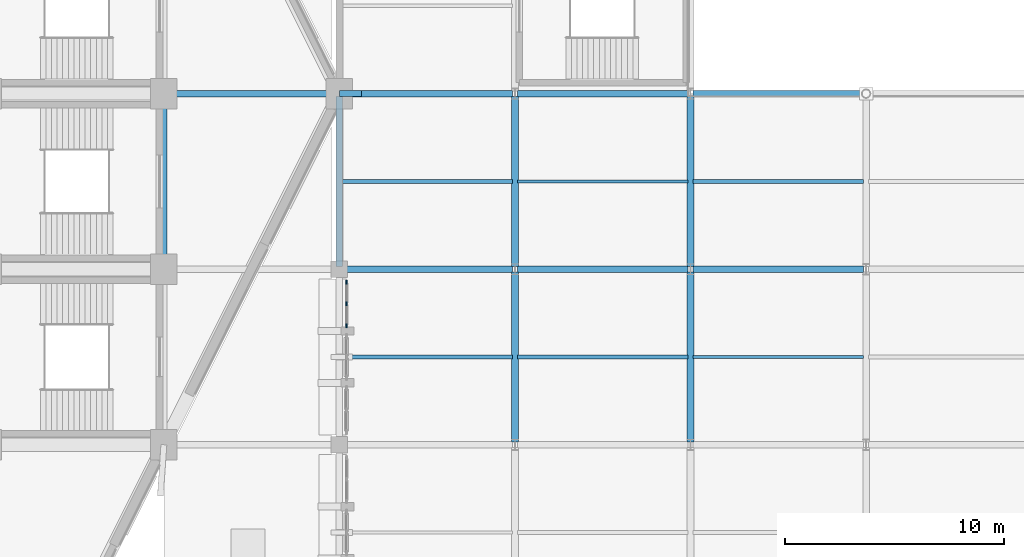
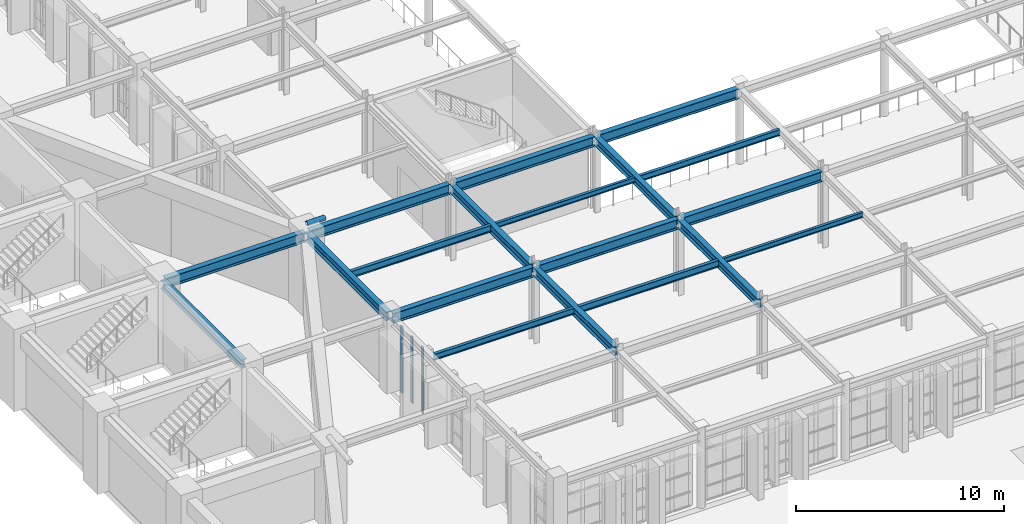
# One storey, part 36 of 155: 19 beams, 4 members, 1 element without a shape of its own.
"""IFC4 building model written with IfcOpenShell, lengths in metres."""

from ifc_helpers import new_model, si_unit, direction, frame, origin, origin_2d, place, context, subcontext, project, spatial, rectangle, hollow_circle, i_section, extrude, material, layer, layer_set, material_profile, profile_set, type_object, element, aggregate, save


model = new_model("IFC4")

# Units and contexts
model_context = context("Model", 3, precision=1e-05, world=origin(), true_north=direction((0.0, 1.0)))
body_context = subcontext(model_context, "Body", "Model", "MODEL_VIEW")
ifc_project = project(units=[si_unit("LENGTHUNIT", "METRE"), si_unit("AREAUNIT", "SQUARE_METRE"), si_unit("VOLUMEUNIT", "CUBIC_METRE"), si_unit("PLANEANGLEUNIT", "RADIAN"), si_unit("MASSUNIT", "GRAM", prefix="KILO")], contexts=[model_context])

# Site, building, storey
site_placement = place(None, origin())
site = spatial("IfcSite", under=ifc_project, at=site_placement, CompositionType="ELEMENT")
building_placement = place(site_placement, origin())
building = spatial("IfcBuilding", under=site, at=building_placement, Name="Tazarka Park Arena", CompositionType="ELEMENT")
storey_placement = place(building_placement, frame((0.0, 0.0, 5.39990234375)))
storey = spatial("IfcBuildingStorey", under=building, at=storey_placement, Name="L01", CompositionType="ELEMENT", Elevation=5.39990234375)

# Beams
ifc_material_1 = material(Name="Steel S355", Category="steel")
ifc_material_profile_1 = material_profile(ifc_material_1, i_section(OverallWidth=0.300048828125, OverallDepth=0.590087890625, WebThickness=0.012939453125, FlangeThickness=0.02490234375, FilletRadius=0.027099609375, at=origin_2d()), Name="Steel S355")
ifc_profile_set_1 = profile_set([ifc_material_profile_1], Name="Steel S355")
beam_type_1 = type_object("IfcBeamType", Name="BM-B-07", PredefinedType="BEAM", material=ifc_profile_set_1)
for number, where, z_axis, x_axis, name in (
    (1, (128.1201171875, 64.0, 4.125), (1.0, 0.0, 0.0), (0.0, 1.0, 0.0), "GXM-L01-16-08"),
    (2, (136.1201171875, 56.0, 4.125), (1.0, 0.0, 0.0), (0.0, 1.0, 0.0), "GXM-L01-17-07"),
    (3, (136.1201171875, 64.0, 4.125), (1.0, 0.0, 0.0), (0.0, 1.0, 0.0), "GXM-L01-17-08"),
    (4, (144.1201171875, 56.0, 4.125), (1.0, 0.0, 0.0), (0.0, 1.0, 0.0), "GXM-L01-18-07"),
    (5, (144.1201171875, 64.0, 4.125), (1.0, 0.0, 0.0), (0.0, 1.0, 0.0), "GXM-L01-18-08"),
    (6, (152.1201171875, 56.0, 4.125), (1.0, 0.0, 0.0), (0.0, 1.0, 0.0), "GXM-L01-19-07"),
    (7, (152.1201171875, 64.0, 4.125), (1.0, 0.0, 0.0), (0.0, 1.0, 0.0), "GXM-L01-19-08"),
):
    element("IfcBeam", number, at=place(storey_placement, frame(where, z_axis=z_axis, x_axis=x_axis)), inside=storey, type_object=beam_type_1, Name=name, PredefinedType="BEAM", context=body_context, shape_type="SweptSolid", body=[
        extrude(i_section(OverallWidth=0.300048828125, OverallDepth=0.590087890625, WebThickness=0.012939453125, FlangeThickness=0.02490234375, FilletRadius=0.027099609375, at=origin_2d()), origin(), (0.0, 0.0, 1.0), 7.759765625),
    ])
ifc_material_2 = material(Name="Steel S355", Category="steel")
ifc_material_profile_2 = material_profile(ifc_material_2, i_section(OverallWidth=0.300048828125, OverallDepth=0.5, WebThickness=0.014404296875, FlangeThickness=0.028076171875, FilletRadius=0.027099609375, at=origin_2d()), Name="Steel S355")
ifc_profile_set_2 = profile_set([ifc_material_profile_2], Name="Steel S355")
beam_type_2 = type_object("IfcBeamType", Name="BM-B-08", PredefinedType="BEAM", material=ifc_profile_set_2)
for number, where, z_axis, x_axis, name in (
    (8, (128.0, 56.1201171875, 4.170166015625), (0.0, 1.0, 0.0), (-1.0, 0.0, 0.0), "GYM-L01-16-07"),
    (9, (136.0, 56.1201171875, 4.170166015625), (0.0, 1.0, 0.0), (-1.0, 0.0, 0.0), "GYM-L01-17-07"),
    (10, (144.0, 48.1201171875, 4.170166015625), (0.0, 1.0, 0.0), (-1.0, 0.0, 0.0), "GYM-L01-18-06"),
    (11, (144.0, 56.1201171875, 4.170166015625), (0.0, 1.0, 0.0), (-1.0, 0.0, 0.0), "GYM-L01-18-07"),
    (12, (152.0, 48.1201171875, 4.170166015625), (0.0, 1.0, 0.0), (-1.0, 0.0, 0.0), "GYM-L01-19-06"),
    (13, (152.0, 56.1201171875, 4.170166015625), (0.0, 1.0, 0.0), (-1.0, 0.0, 0.0), "GYM-L01-19-07"),
):
    element("IfcBeam", number, at=place(storey_placement, frame(where, z_axis=z_axis, x_axis=x_axis)), inside=storey, type_object=beam_type_2, Name=name, PredefinedType="BEAM", context=body_context, shape_type="SweptSolid", body=[
        extrude(i_section(OverallWidth=0.300048828125, OverallDepth=0.5, WebThickness=0.014404296875, FlangeThickness=0.028076171875, FilletRadius=0.027099609375, at=origin_2d()), origin(), (0.0, 0.0, 1.0), 7.759765625),
    ])
ifc_material_3 = material(Name="Steel S355", Category="steel")
ifc_material_profile_3 = material_profile(ifc_material_3, i_section(OverallWidth=0.14990234375, OverallDepth=0.300048828125, WebThickness=0.007080078125, FlangeThickness=0.0107421875, FilletRadius=0.014892578125, at=origin_2d()), Name="Steel S355")
ifc_profile_set_3 = profile_set([ifc_material_profile_3], Name="Steel S355")
beam_type_3 = type_object("IfcBeamType", Name="BM-J-01", PredefinedType="JOIST", material=ifc_profile_set_3)
for number, where, z_axis, x_axis, name in (
    (14, (144.1201171875, 60.0, 4.27001953125), (1.0, 0.0, 0.0), (0.0, 1.0, 0.0), "JST-L01-18-07"),
    (15, (152.1201171875, 52.0, 4.27001953125), (1.0, 0.0, 0.0), (0.0, 1.0, 0.0), "JST-L01-19-06"),
):
    element("IfcBeam", number, at=place(storey_placement, frame(where, z_axis=z_axis, x_axis=x_axis)), inside=storey, type_object=beam_type_3, Name=name, PredefinedType="JOIST", context=body_context, shape_type="SweptSolid", body=[
        extrude(i_section(OverallWidth=0.14990234375, OverallDepth=0.300048828125, WebThickness=0.007080078125, FlangeThickness=0.0107421875, FilletRadius=0.014892578125, at=origin_2d()), origin(), (0.0, 0.0, 1.0), 7.759765625),
    ])
ifc_material_4 = material(Name="Steel S355", Category="steel")
ifc_material_profile_4 = material_profile(ifc_material_4, i_section(OverallWidth=0.169921875, OverallDepth=0.360107421875, WebThickness=0.008056640625, FlangeThickness=0.0126953125, FilletRadius=0.01806640625, at=origin_2d()), Name="Steel S355")
ifc_profile_set_4 = profile_set([ifc_material_profile_4], Name="Steel S355")
beam_type_4 = type_object("IfcBeamType", Name="BM-J-02", PredefinedType="JOIST", material=ifc_profile_set_4)
for number, where, z_axis, x_axis, name in (
    (16, (136.1201171875, 52.0, 4.239990234375), (1.0, 0.0, 0.0), (0.0, 1.0, 0.0), "JST-L01-17-06"),
    (17, (152.1201171875, 60.0, 4.239990234375), (1.0, 0.0, 0.0), (0.0, 1.0, 0.0), "JST-L01-19-07"),
):
    element("IfcBeam", number, at=place(storey_placement, frame(where, z_axis=z_axis, x_axis=x_axis)), inside=storey, type_object=beam_type_4, Name=name, PredefinedType="JOIST", context=body_context, shape_type="SweptSolid", body=[
        extrude(i_section(OverallWidth=0.169921875, OverallDepth=0.360107421875, WebThickness=0.008056640625, FlangeThickness=0.0126953125, FilletRadius=0.01806640625, at=origin_2d()), origin(), (0.0, 0.0, 1.0), 7.759765625),
    ])
ifc_material_5 = material(Name="Steel S355", Category="steel")
ifc_material_profile_5 = material_profile(ifc_material_5, i_section(OverallWidth=0.179931640625, OverallDepth=0.39990234375, WebThickness=0.008544921875, FlangeThickness=0.013427734375, FilletRadius=0.02099609375, at=origin_2d()), Name="Steel S355")
ifc_profile_set_5 = profile_set([ifc_material_profile_5], Name="Steel S355")
beam_type_5 = type_object("IfcBeamType", Name="BM-J-03", PredefinedType="JOIST", material=ifc_profile_set_5)
for number, where, z_axis, x_axis, name in (
    (18, (136.1201171875, 60.0, 4.22021484375), (1.0, 0.0, 0.0), (0.0, 1.0, 0.0), "JST-L01-17-07"),
    (19, (144.1201171875, 52.0, 4.22021484375), (1.0, 0.0, 0.0), (0.0, 1.0, 0.0), "JST-L01-18-06"),
):
    element("IfcBeam", number, at=place(storey_placement, frame(where, z_axis=z_axis, x_axis=x_axis)), inside=storey, type_object=beam_type_5, Name=name, PredefinedType="JOIST", context=body_context, shape_type="SweptSolid", body=[
        extrude(i_section(OverallWidth=0.179931640625, OverallDepth=0.39990234375, WebThickness=0.008544921875, FlangeThickness=0.013427734375, FilletRadius=0.02099609375, at=origin_2d()), origin(), (0.0, 0.0, 1.0), 7.759765625),
    ])

# Curtain wall, members
ifc_material_6 = material(Name="Aluminium and low-e glass", Category="aluminium")
ifc_layer = layer(ifc_material_6, 0.179931640625, Name="Aluminium and low-e glass")
ifc_layer_set = layer_set([ifc_layer], Name="Aluminium and low-e glass")
curtain_wall_type = type_object("IfcCurtainWallType", Name="CW-12", PredefinedType="NOTDEFINED", material=ifc_layer_set)
curtain_wall_placement = place(storey_placement, origin())
curtain_wall = element("IfcCurtainWall", 20, at=curtain_wall_placement, inside=storey, type_object=curtain_wall_type, Name="Curtain Wall CWA-L01-162", PredefinedType="NOTDEFINED")
ifc_material_7 = material(Name="Aluminium 6060-T66", Category="aluminium")
ifc_material_profile_6 = material_profile(ifc_material_7, rectangle(XDim=0.06494140625, YDim=0.179931640625, at=origin_2d()), Name="Aluminium 6060-T66")
ifc_profile_set_6 = profile_set([ifc_material_profile_6], Name="Aluminium 6060-T66")
member_type_1 = type_object("IfcMemberType", Name="CWM-01", PredefinedType="MULLION", material=ifc_profile_set_6)
member_1_placement = place(storey_placement, frame((136.320068359375, 53.42431640625, 0.0), z_axis=(0.0, 0.0, 1.0), x_axis=(-1.0, 0.0, 0.0)))
member_1 = element("IfcMember", 21, at=member_1_placement, type_object=member_type_1, Name="CW-12 mullion 1", PredefinedType="MULLION", context=body_context, shape_type="SweptSolid", body=[
    extrude(rectangle(XDim=0.06494140625, YDim=0.179931640625, at=origin_2d()), origin(), (0.0, 0.0, 1.0), 3.900146484375),
])
member_2_placement = place(storey_placement, frame((136.320068359375, 54.41845703125, 0.0), z_axis=(0.0, 0.0, 1.0), x_axis=(-1.0, 0.0, 0.0)))
member_2 = element("IfcMember", 22, at=member_2_placement, type_object=member_type_1, Name="CW-12 mullion 2", PredefinedType="MULLION", context=body_context, shape_type="SweptSolid", body=[
    extrude(rectangle(XDim=0.06494140625, YDim=0.179931640625, at=origin_2d()), origin(), (0.0, 0.0, 1.0), 3.900146484375),
])
member_3_placement = place(storey_placement, frame((136.320068359375, 55.41259765625, 0.0), z_axis=(0.0, 0.0, 1.0), x_axis=(-1.0, 0.0, 0.0)))
member_3 = element("IfcMember", 23, at=member_3_placement, type_object=member_type_1, Name="CW-12 mullion 3", PredefinedType="MULLION", context=body_context, shape_type="SweptSolid", body=[
    extrude(rectangle(XDim=0.06494140625, YDim=0.179931640625, at=origin_2d()), origin(), (0.0, 0.0, 1.0), 3.900146484375),
])
aggregate(curtain_wall, [member_1, member_2, member_3])

# Member
ifc_material_8 = material(Name="Steel S355", Category="steel")
ifc_material_profile_7 = material_profile(ifc_material_8, hollow_circle(Radius=0.136474609375, WallThickness=0.012451171875, at=origin_2d()), Name="Steel S355")
ifc_profile_set_7 = profile_set([ifc_material_profile_7], Name="Steel S355")
member_type_2 = type_object("IfcMemberType", Name="MEM-SR-01", PredefinedType="STRUT", material=ifc_profile_set_7)
member_4_placement = place(storey_placement, frame((136.0, 64.0, 4.800048828125), z_axis=(1.0, 0.0, 0.0), x_axis=(0.0, 1.0, 0.0)))
element("IfcMember", 24, at=member_4_placement, inside=storey, type_object=member_type_2, Name="FSB-09", PredefinedType="STRUT", context=body_context, shape_type="SweptSolid", body=[
    extrude(hollow_circle(Radius=0.136474609375, WallThickness=0.012451171875, at=origin_2d()), origin(), (0.0, 0.0, 1.0), 1.006103515625),
])

save(model, "model.ifc")
